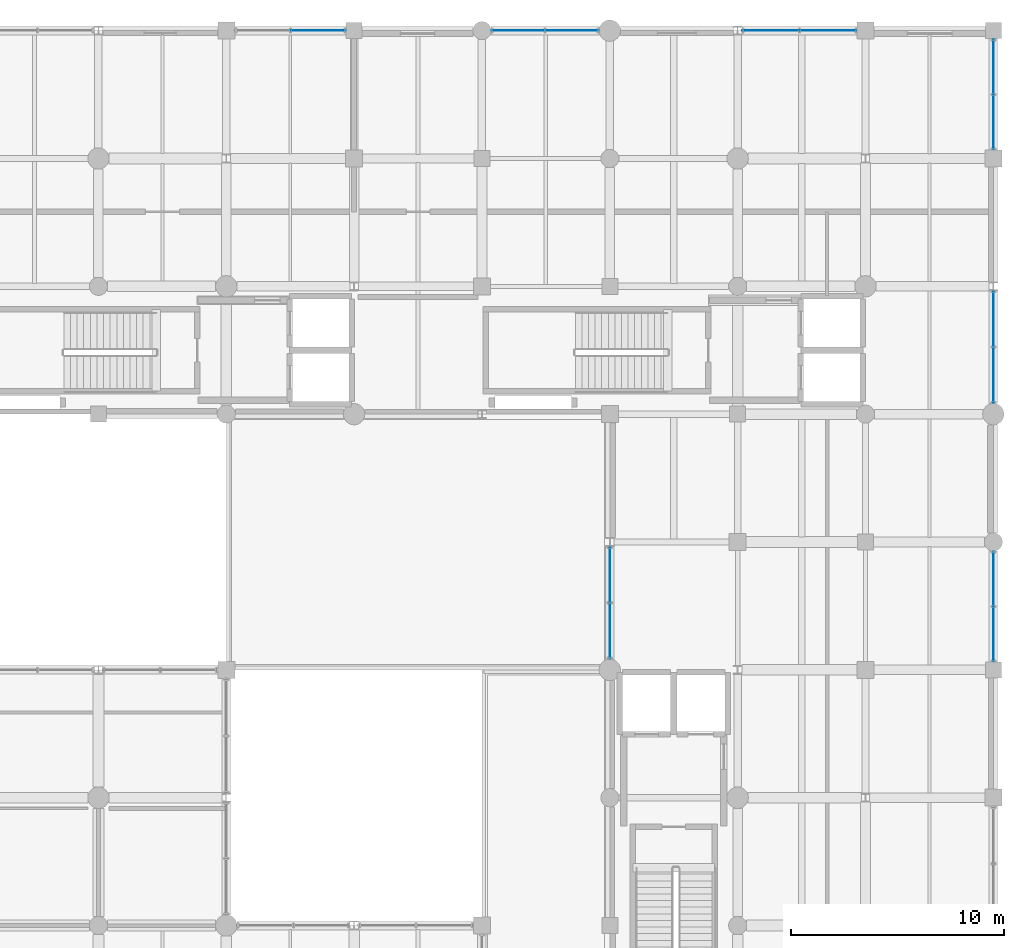
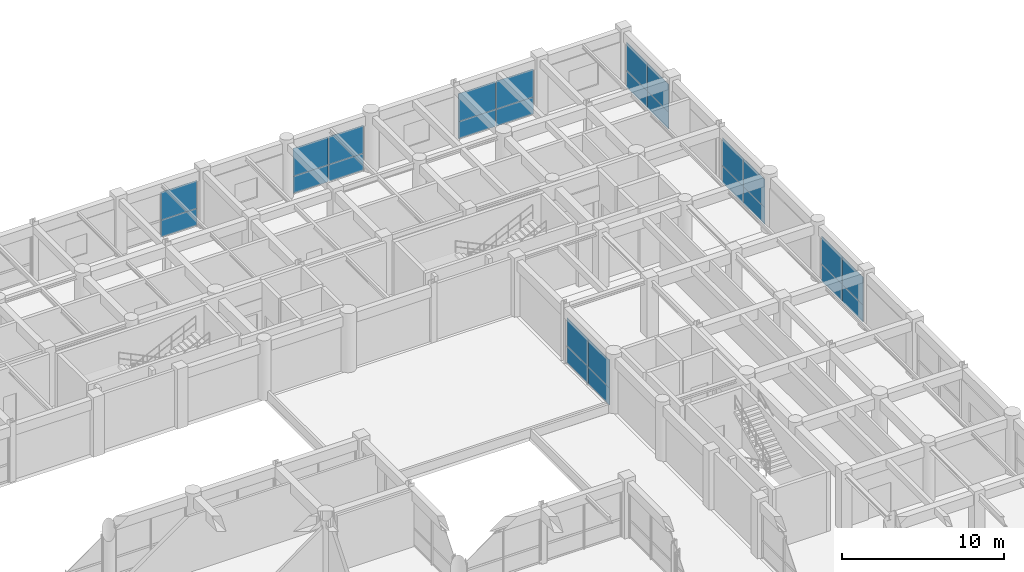
# One storey, part 94 of 133: 26 plates, 7 elements without a shape of their own.
"""IFC4 building model written with IfcOpenShell, lengths in metres."""

from ifc_helpers import new_model, si_unit, direction, frame, frame_2d, origin, place, context, subcontext, project, spatial, rectangle, extrude, material, layer, layer_set, type_object, element, aggregate, save


model = new_model("IFC4")

# Units and contexts
model_context = context("Model", 3, precision=1e-05, world=origin(), true_north=direction((0.0, 1.0)))
body_context = subcontext(model_context, "Body", "Model", "MODEL_VIEW")
ifc_project = project(units=[si_unit("LENGTHUNIT", "METRE"), si_unit("AREAUNIT", "SQUARE_METRE"), si_unit("VOLUMEUNIT", "CUBIC_METRE"), si_unit("PLANEANGLEUNIT", "RADIAN"), si_unit("MASSUNIT", "GRAM", prefix="KILO"), si_unit("THERMODYNAMICTEMPERATUREUNIT", "KELVIN"), si_unit("POWERUNIT", "WATT")], contexts=[model_context])

# Site, building, storey
site_placement = place(None, origin())
site = spatial("IfcSite", under=ifc_project, at=site_placement, CompositionType="ELEMENT")
building_placement = place(site_placement, origin())
building = spatial("IfcBuilding", under=site, at=building_placement, Name="Phaisarnlok Congress Hotel", CompositionType="ELEMENT")
storey_placement = place(building_placement, frame((0.0, 0.0, 6.0)))
storey = spatial("IfcBuildingStorey", under=building, at=storey_placement, Name="L01", CompositionType="ELEMENT", Elevation=6.0)

# Curtain wall, plates
ifc_material_1 = material(Name="Thermally Broken Unitised Aluminium & Low-E Glazing", Category="aluminium")
curtain_wall_type_1 = type_object("IfcCurtainWallType", Name="CW-UNIT-13", PredefinedType="NOTDEFINED", material=ifc_material_1)
curtain_wall_1_placement = place(storey_placement, origin())
curtain_wall_1 = element("IfcCurtainWall", 1, at=curtain_wall_1_placement, inside=storey, type_object=curtain_wall_type_1, Name="Unitised curtain wall CW-13 (L01)", PredefinedType="NOTDEFINED")
ifc_material_2 = material(Name="Triple Acoustic Solar-Control Glazing", Category="glass")
ifc_layer = layer(ifc_material_2, 0.035888671875, Name="Triple Acoustic Solar-Control Glazing")
ifc_layer_set = layer_set([ifc_layer], Name="Triple Acoustic Solar-Control Glazing")
plate_type = type_object("IfcPlateType", Name="CWP-GLZ-36", PredefinedType="CURTAIN_PANEL", material=ifc_layer_set)
plate_1_placement = place(storey_placement, frame((162.0, 101.775390625, 0.0400390625), z_axis=(0.0, 0.0, 1.0), x_axis=(0.0, -1.0, 0.0)))
plate_1 = element("IfcPlate", 2, at=plate_1_placement, type_object=plate_type, Name="Glazed curtain panel CWP-02", PredefinedType="CURTAIN_PANEL", context=body_context, shape_type="SweptSolid", body=[
    extrude(rectangle(XDim=2.610107421875, YDim=0.028076171875, at=frame_2d((1.30517578125, 0.0))), origin(), (0.0, 0.0, 1.0), 1.278564453125),
])
plate_2_placement = place(storey_placement, frame((162.0, 101.775390625, 1.318603515625), z_axis=(0.0, 0.0, 1.0), x_axis=(0.0, -1.0, 0.0)))
plate_2 = element("IfcPlate", 3, at=plate_2_placement, type_object=plate_type, Name="Glazed curtain panel CWP-02", PredefinedType="CURTAIN_PANEL", context=body_context, shape_type="SweptSolid", body=[
    extrude(rectangle(XDim=2.610107421875, YDim=0.028076171875, at=frame_2d((1.30517578125, 0.0))), origin(), (0.0, 0.0, 1.0), 2.111328125),
])
plate_3_placement = place(storey_placement, frame((162.0, 99.13525390625, 0.0400390625), z_axis=(0.0, 0.0, 1.0), x_axis=(0.0, -1.0, 0.0)))
plate_3 = element("IfcPlate", 4, at=plate_3_placement, type_object=plate_type, Name="Glazed curtain panel CWP-02", PredefinedType="CURTAIN_PANEL", context=body_context, shape_type="SweptSolid", body=[
    extrude(rectangle(XDim=2.6103515625, YDim=0.028076171875, at=frame_2d((1.30517578125, 0.0))), origin(), (0.0, 0.0, 1.0), 1.278564453125),
])
plate_4_placement = place(storey_placement, frame((162.0, 99.13525390625, 1.318603515625), z_axis=(0.0, 0.0, 1.0), x_axis=(0.0, -1.0, 0.0)))
plate_4 = element("IfcPlate", 5, at=plate_4_placement, type_object=plate_type, Name="Glazed curtain panel CWP-02", PredefinedType="CURTAIN_PANEL", context=body_context, shape_type="SweptSolid", body=[
    extrude(rectangle(XDim=2.6103515625, YDim=0.028076171875, at=frame_2d((1.30517578125, 0.0))), origin(), (0.0, 0.0, 1.0), 2.111328125),
])
aggregate(curtain_wall_1, [plate_1, plate_2, plate_3, plate_4])

curtain_wall_type_2 = type_object("IfcCurtainWallType", Name="CW-UNIT-15", PredefinedType="NOTDEFINED", material=ifc_material_1)
curtain_wall_2_placement = place(storey_placement, origin())
curtain_wall_2 = element("IfcCurtainWall", 6, at=curtain_wall_2_placement, inside=storey, type_object=curtain_wall_type_2, Name="Unitised curtain wall CW-15 (L01)", PredefinedType="NOTDEFINED")
plate_5_placement = place(storey_placement, frame((180.0, 96.39990234375, 0.0400390625), z_axis=(0.0, 0.0, 1.0), x_axis=(0.0, 1.0, 0.0)))
plate_5 = element("IfcPlate", 7, at=plate_5_placement, type_object=plate_type, Name="Glazed curtain panel CWP-02", PredefinedType="CURTAIN_PANEL", context=body_context, shape_type="SweptSolid", body=[
    extrude(rectangle(XDim=2.56005859375, YDim=0.028076171875, at=frame_2d((1.280029296875, 0.0))), origin(), (0.0, 0.0, 1.0), 1.278564453125),
])
plate_6_placement = place(storey_placement, frame((180.0, 96.39990234375, 1.318603515625), z_axis=(0.0, 0.0, 1.0), x_axis=(0.0, 1.0, 0.0)))
plate_6 = element("IfcPlate", 8, at=plate_6_placement, type_object=plate_type, Name="Glazed curtain panel CWP-02", PredefinedType="CURTAIN_PANEL", context=body_context, shape_type="SweptSolid", body=[
    extrude(rectangle(XDim=2.56005859375, YDim=0.028076171875, at=frame_2d((1.280029296875, 0.0))), origin(), (0.0, 0.0, 1.0), 2.111328125),
])
plate_7_placement = place(storey_placement, frame((180.0, 98.989990234375, 0.0400390625), z_axis=(0.0, 0.0, 1.0), x_axis=(0.0, 1.0, 0.0)))
plate_7 = element("IfcPlate", 9, at=plate_7_placement, type_object=plate_type, Name="Glazed curtain panel CWP-02", PredefinedType="CURTAIN_PANEL", context=body_context, shape_type="SweptSolid", body=[
    extrude(rectangle(XDim=2.56005859375, YDim=0.028076171875, at=frame_2d((1.280029296875, 0.0))), origin(), (0.0, 0.0, 1.0), 1.278564453125),
])
plate_8_placement = place(storey_placement, frame((180.0, 98.989990234375, 1.318603515625), z_axis=(0.0, 0.0, 1.0), x_axis=(0.0, 1.0, 0.0)))
plate_8 = element("IfcPlate", 10, at=plate_8_placement, type_object=plate_type, Name="Glazed curtain panel CWP-02", PredefinedType="CURTAIN_PANEL", context=body_context, shape_type="SweptSolid", body=[
    extrude(rectangle(XDim=2.56005859375, YDim=0.028076171875, at=frame_2d((1.280029296875, 0.0))), origin(), (0.0, 0.0, 1.0), 2.111328125),
])
aggregate(curtain_wall_2, [plate_5, plate_6, plate_7, plate_8])

curtain_wall_3_placement = place(storey_placement, origin())
curtain_wall_3 = element("IfcCurtainWall", 11, at=curtain_wall_3_placement, inside=storey, type_object=curtain_wall_type_1, Name="Unitised curtain wall CW-13 (L01)", PredefinedType="NOTDEFINED")
plate_9_placement = place(storey_placement, frame((180.0, 108.52490234375, 0.0400390625), z_axis=(0.0, 0.0, 1.0), x_axis=(0.0, 1.0, 0.0)))
plate_9 = element("IfcPlate", 12, at=plate_9_placement, type_object=plate_type, Name="Glazed curtain panel CWP-02", PredefinedType="CURTAIN_PANEL", context=body_context, shape_type="SweptSolid", body=[
    extrude(rectangle(XDim=2.6103515625, YDim=0.028076171875, at=frame_2d((1.30517578125, 0.0))), origin(), (0.0, 0.0, 1.0), 1.278564453125),
])
plate_10_placement = place(storey_placement, frame((180.0, 108.52490234375, 1.318603515625), z_axis=(0.0, 0.0, 1.0), x_axis=(0.0, 1.0, 0.0)))
plate_10 = element("IfcPlate", 13, at=plate_10_placement, type_object=plate_type, Name="Glazed curtain panel CWP-02", PredefinedType="CURTAIN_PANEL", context=body_context, shape_type="SweptSolid", body=[
    extrude(rectangle(XDim=2.6103515625, YDim=0.028076171875, at=frame_2d((1.30517578125, 0.0))), origin(), (0.0, 0.0, 1.0), 2.111328125),
])
plate_11_placement = place(storey_placement, frame((180.0, 111.165283203125, 0.0400390625), z_axis=(0.0, 0.0, 1.0), x_axis=(0.0, 1.0, 0.0)))
plate_11 = element("IfcPlate", 14, at=plate_11_placement, type_object=plate_type, Name="Glazed curtain panel CWP-02", PredefinedType="CURTAIN_PANEL", context=body_context, shape_type="SweptSolid", body=[
    extrude(rectangle(XDim=2.610107421875, YDim=0.028076171875, at=frame_2d((1.30517578125, 0.0))), origin(), (0.0, 0.0, 1.0), 1.278564453125),
])
plate_12_placement = place(storey_placement, frame((180.0, 111.165283203125, 1.318603515625), z_axis=(0.0, 0.0, 1.0), x_axis=(0.0, 1.0, 0.0)))
plate_12 = element("IfcPlate", 15, at=plate_12_placement, type_object=plate_type, Name="Glazed curtain panel CWP-02", PredefinedType="CURTAIN_PANEL", context=body_context, shape_type="SweptSolid", body=[
    extrude(rectangle(XDim=2.610107421875, YDim=0.028076171875, at=frame_2d((1.30517578125, 0.0))), origin(), (0.0, 0.0, 1.0), 2.111328125),
])
aggregate(curtain_wall_3, [plate_9, plate_10, plate_11, plate_12])

curtain_wall_4_placement = place(storey_placement, origin())
curtain_wall_4 = element("IfcCurtainWall", 16, at=curtain_wall_4_placement, inside=storey, type_object=curtain_wall_type_2, Name="Unitised curtain wall CW-15 (L01)", PredefinedType="NOTDEFINED")
plate_13_placement = place(storey_placement, frame((180.0, 120.425048828125, 0.0400390625), z_axis=(0.0, 0.0, 1.0), x_axis=(0.0, 1.0, 0.0)))
plate_13 = element("IfcPlate", 17, at=plate_13_placement, type_object=plate_type, Name="Glazed curtain panel CWP-02", PredefinedType="CURTAIN_PANEL", context=body_context, shape_type="SweptSolid", body=[
    extrude(rectangle(XDim=2.572509765625, YDim=0.028076171875, at=frame_2d((1.2861328125, 0.0))), origin(), (0.0, 0.0, 1.0), 1.278564453125),
])
plate_14_placement = place(storey_placement, frame((180.0, 120.425048828125, 1.318603515625), z_axis=(0.0, 0.0, 1.0), x_axis=(0.0, 1.0, 0.0)))
plate_14 = element("IfcPlate", 18, at=plate_14_placement, type_object=plate_type, Name="Glazed curtain panel CWP-02", PredefinedType="CURTAIN_PANEL", context=body_context, shape_type="SweptSolid", body=[
    extrude(rectangle(XDim=2.572509765625, YDim=0.028076171875, at=frame_2d((1.2861328125, 0.0))), origin(), (0.0, 0.0, 1.0), 2.111328125),
])
plate_15_placement = place(storey_placement, frame((180.0, 123.027587890625, 0.0400390625), z_axis=(0.0, 0.0, 1.0), x_axis=(0.0, 1.0, 0.0)))
plate_15 = element("IfcPlate", 19, at=plate_15_placement, type_object=plate_type, Name="Glazed curtain panel CWP-02", PredefinedType="CURTAIN_PANEL", context=body_context, shape_type="SweptSolid", body=[
    extrude(rectangle(XDim=2.572509765625, YDim=0.028076171875, at=frame_2d((1.2861328125, 0.0))), origin(), (0.0, 0.0, 1.0), 1.278564453125),
])
plate_16_placement = place(storey_placement, frame((180.0, 123.027587890625, 1.318603515625), z_axis=(0.0, 0.0, 1.0), x_axis=(0.0, 1.0, 0.0)))
plate_16 = element("IfcPlate", 20, at=plate_16_placement, type_object=plate_type, Name="Glazed curtain panel CWP-02", PredefinedType="CURTAIN_PANEL", context=body_context, shape_type="SweptSolid", body=[
    extrude(rectangle(XDim=2.572509765625, YDim=0.028076171875, at=frame_2d((1.2861328125, 0.0))), origin(), (0.0, 0.0, 1.0), 2.111328125),
])
aggregate(curtain_wall_4, [plate_13, plate_14, plate_15, plate_16])

curtain_wall_type_3 = type_object("IfcCurtainWallType", Name="CW-UNIT-14", PredefinedType="NOTDEFINED", material=ifc_material_1)
curtain_wall_5_placement = place(storey_placement, origin())
curtain_wall_5 = element("IfcCurtainWall", 21, at=curtain_wall_5_placement, inside=storey, type_object=curtain_wall_type_3, Name="Unitised curtain wall CW-14 (L01)", PredefinedType="NOTDEFINED")
plate_17_placement = place(storey_placement, frame((173.574951171875, 126.0, 0.0400390625), z_axis=(0.0, 0.0, 1.0), x_axis=(-1.0, 0.0, 0.0)))
plate_17 = element("IfcPlate", 22, at=plate_17_placement, type_object=plate_type, Name="Glazed curtain panel CWP-02", PredefinedType="CURTAIN_PANEL", context=body_context, shape_type="SweptSolid", body=[
    extrude(rectangle(XDim=2.65966796875, YDim=0.028076171875, at=frame_2d((1.329833984375, 0.0))), origin(), (0.0, 0.0, 1.0), 1.278564453125),
])
plate_18_placement = place(storey_placement, frame((173.574951171875, 126.0, 1.318603515625), z_axis=(0.0, 0.0, 1.0), x_axis=(-1.0, 0.0, 0.0)))
plate_18 = element("IfcPlate", 23, at=plate_18_placement, type_object=plate_type, Name="Glazed curtain panel CWP-02", PredefinedType="CURTAIN_PANEL", context=body_context, shape_type="SweptSolid", body=[
    extrude(rectangle(XDim=2.65966796875, YDim=0.028076171875, at=frame_2d((1.329833984375, 0.0))), origin(), (0.0, 0.0, 1.0), 2.111328125),
])
plate_19_placement = place(storey_placement, frame((170.88525390625, 126.0, 0.0400390625), z_axis=(0.0, 0.0, 1.0), x_axis=(-1.0, 0.0, 0.0)))
plate_19 = element("IfcPlate", 24, at=plate_19_placement, type_object=plate_type, Name="Glazed curtain panel CWP-02", PredefinedType="CURTAIN_PANEL", context=body_context, shape_type="SweptSolid", body=[
    extrude(rectangle(XDim=2.65966796875, YDim=0.028076171875, at=frame_2d((1.329833984375, 0.0))), origin(), (0.0, 0.0, 1.0), 1.278564453125),
])
plate_20_placement = place(storey_placement, frame((170.88525390625, 126.0, 1.318603515625), z_axis=(0.0, 0.0, 1.0), x_axis=(-1.0, 0.0, 0.0)))
plate_20 = element("IfcPlate", 25, at=plate_20_placement, type_object=plate_type, Name="Glazed curtain panel CWP-02", PredefinedType="CURTAIN_PANEL", context=body_context, shape_type="SweptSolid", body=[
    extrude(rectangle(XDim=2.65966796875, YDim=0.028076171875, at=frame_2d((1.329833984375, 0.0))), origin(), (0.0, 0.0, 1.0), 2.111328125),
])
aggregate(curtain_wall_5, [plate_17, plate_18, plate_19, plate_20])

curtain_wall_type_4 = type_object("IfcCurtainWallType", Name="CW-UNIT-12", PredefinedType="NOTDEFINED", material=ifc_material_1)
curtain_wall_6_placement = place(storey_placement, origin())
curtain_wall_6 = element("IfcCurtainWall", 26, at=curtain_wall_6_placement, inside=storey, type_object=curtain_wall_type_4, Name="Unitised curtain wall CW-12 (L01)", PredefinedType="NOTDEFINED")
plate_21_placement = place(storey_placement, frame((161.47509765625, 126.0, 0.0400390625), z_axis=(0.0, 0.0, 1.0), x_axis=(-1.0, 0.0, 0.0)))
plate_21 = element("IfcPlate", 27, at=plate_21_placement, type_object=plate_type, Name="Glazed curtain panel CWP-02", PredefinedType="CURTAIN_PANEL", context=body_context, shape_type="SweptSolid", body=[
    extrude(rectangle(XDim=2.49755859375, YDim=0.028076171875, at=frame_2d((1.248779296875, 0.0))), origin(), (0.0, 0.0, 1.0), 1.278564453125),
])
plate_22_placement = place(storey_placement, frame((161.47509765625, 126.0, 1.318603515625), z_axis=(0.0, 0.0, 1.0), x_axis=(-1.0, 0.0, 0.0)))
plate_22 = element("IfcPlate", 28, at=plate_22_placement, type_object=plate_type, Name="Glazed curtain panel CWP-02", PredefinedType="CURTAIN_PANEL", context=body_context, shape_type="SweptSolid", body=[
    extrude(rectangle(XDim=2.49755859375, YDim=0.028076171875, at=frame_2d((1.248779296875, 0.0))), origin(), (0.0, 0.0, 1.0), 2.111328125),
])
plate_23_placement = place(storey_placement, frame((158.947509765625, 126.0, 0.0400390625), z_axis=(0.0, 0.0, 1.0), x_axis=(-1.0, 0.0, 0.0)))
plate_23 = element("IfcPlate", 29, at=plate_23_placement, type_object=plate_type, Name="Glazed curtain panel CWP-02", PredefinedType="CURTAIN_PANEL", context=body_context, shape_type="SweptSolid", body=[
    extrude(rectangle(XDim=2.49755859375, YDim=0.028076171875, at=frame_2d((1.248779296875, 0.0))), origin(), (0.0, 0.0, 1.0), 1.278564453125),
])
plate_24_placement = place(storey_placement, frame((158.947509765625, 126.0, 1.318603515625), z_axis=(0.0, 0.0, 1.0), x_axis=(-1.0, 0.0, 0.0)))
plate_24 = element("IfcPlate", 30, at=plate_24_placement, type_object=plate_type, Name="Glazed curtain panel CWP-02", PredefinedType="CURTAIN_PANEL", context=body_context, shape_type="SweptSolid", body=[
    extrude(rectangle(XDim=2.49755859375, YDim=0.028076171875, at=frame_2d((1.248779296875, 0.0))), origin(), (0.0, 0.0, 1.0), 2.111328125),
])
aggregate(curtain_wall_6, [plate_21, plate_22, plate_23, plate_24])

curtain_wall_7_placement = place(storey_placement, origin())
curtain_wall_7 = element("IfcCurtainWall", 31, at=curtain_wall_7_placement, inside=storey, type_object=curtain_wall_type_2, Name="Unitised curtain wall CW-15 (L01)", PredefinedType="NOTDEFINED")
plate_25_placement = place(storey_placement, frame((149.60009765625, 126.0, 0.0400390625), z_axis=(0.0, 0.0, 1.0), x_axis=(-1.0, 0.0, 0.0)))
plate_25 = element("IfcPlate", 32, at=plate_25_placement, type_object=plate_type, Name="Glazed curtain panel CWP-02", PredefinedType="CURTAIN_PANEL", context=body_context, shape_type="SweptSolid", body=[
    extrude(rectangle(XDim=2.572509765625, YDim=0.028076171875, at=frame_2d((1.2861328125, 0.0))), origin(), (0.0, 0.0, 1.0), 1.278564453125),
])
plate_26_placement = place(storey_placement, frame((149.60009765625, 126.0, 1.318603515625), z_axis=(0.0, 0.0, 1.0), x_axis=(-1.0, 0.0, 0.0)))
plate_26 = element("IfcPlate", 33, at=plate_26_placement, type_object=plate_type, Name="Glazed curtain panel CWP-02", PredefinedType="CURTAIN_PANEL", context=body_context, shape_type="SweptSolid", body=[
    extrude(rectangle(XDim=2.572509765625, YDim=0.028076171875, at=frame_2d((1.2861328125, 0.0))), origin(), (0.0, 0.0, 1.0), 2.111328125),
])
aggregate(curtain_wall_7, [plate_25, plate_26])

save(model, "model.ifc")
